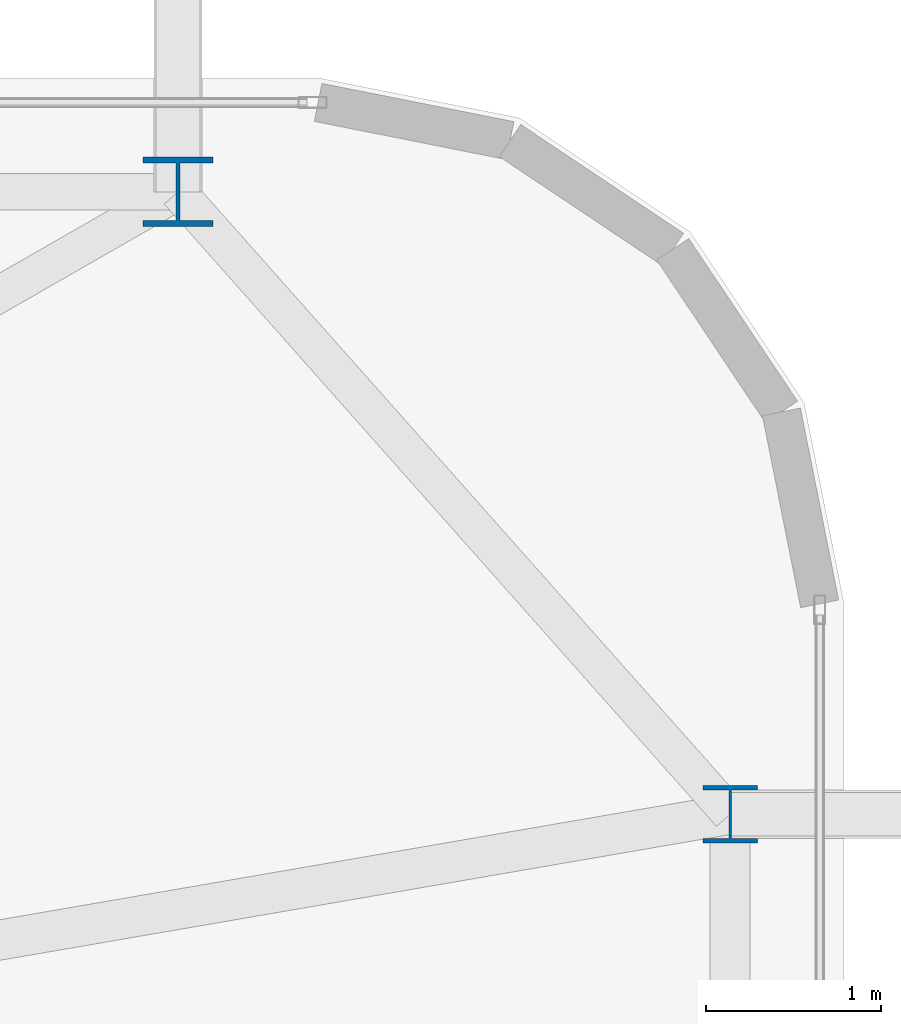
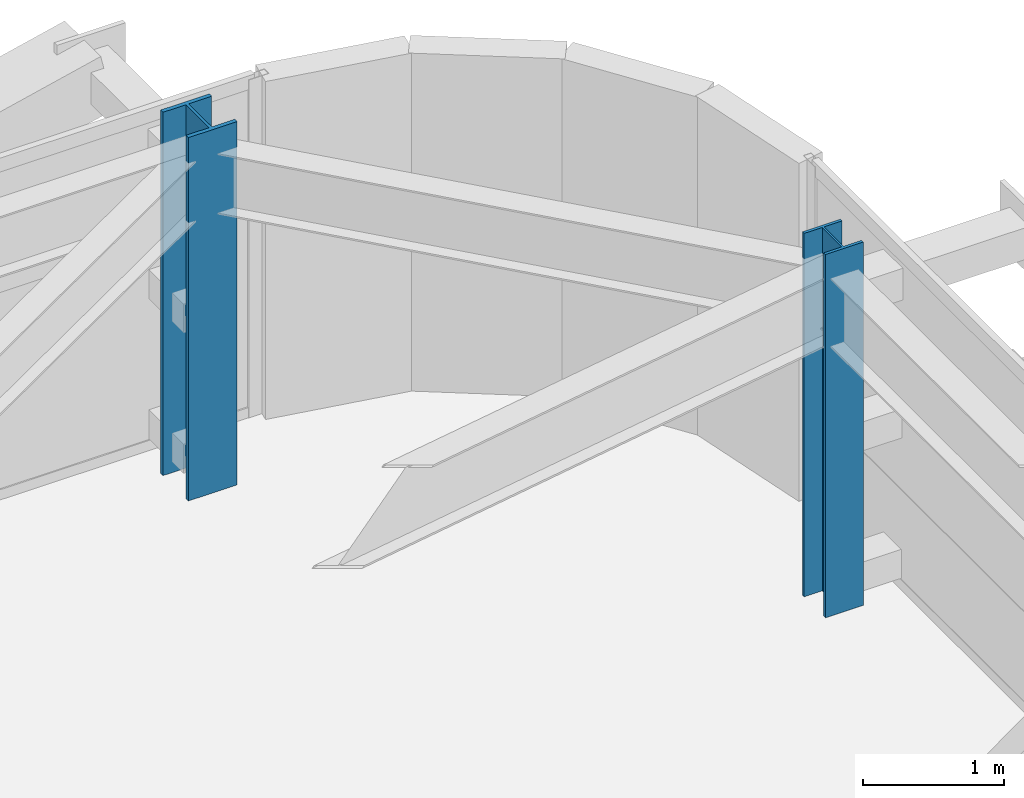
# One storey, part 4 of 58: 2 columns.
"""IFC4 building model written with IfcOpenShell, lengths in metres."""

import ifcopenshell
import ifcopenshell.guid

model = None  # the IFC model being written
_history = None  # IfcOwnerHistory: only IFC2X3 demands one
_inside = {}  # id of a spatial element -> (the spatial element, [elements in it])
_under = {}  # id of a project, library or spatial element -> (it, [spatial elements below it])
_declared = {}  # id of a project -> (the project, [libraries it declares])
_typed = {}  # id of a type object -> (the type object, [elements of that type])
_made_of = {}  # id of a material, layer set ... -> (it, [elements and type objects made of it])


def new_model(schema):
    """Start an empty IFC model of exactly this schema.

    Asked for "IFC4X3", IfcOpenShell would pick the latest addendum, in which some entities
    have other attributes; the version numbers below select the first issue.
    IFC2X3 requires an IfcOwnerHistory on every rooted entity: one is made here for all.
    """
    global model, _history
    if schema == "IFC4X3":
        model = ifcopenshell.file(schema_version=(4, 3, 0, 0))
    else:
        model = ifcopenshell.file(schema=schema)
    _inside.clear()
    _under.clear()
    _declared.clear()
    _typed.clear()
    _made_of.clear()
    _history = None
    if model.schema == "IFC2X3":
        org = make("IfcOrganization", Name="unknown")
        user = make(
            "IfcPersonAndOrganization",
            ThePerson=make("IfcPerson", FamilyName="unknown"),
            TheOrganization=org,
        )
        app = make(
            "IfcApplication",
            ApplicationDeveloper=org,
            Version="unknown",
            ApplicationFullName="unknown",
            ApplicationIdentifier="unknown",
        )
        _history = make(
            "IfcOwnerHistory",
            OwningUser=user,
            OwningApplication=app,
            ChangeAction="ADDED",
            CreationDate=0,
        )
    return model


def make(cls, **values):
    """One entity of the class cls with the attributes given. An attribute that is None is left unset."""
    return model.create_entity(
        cls, **{name: value for name, value in values.items() if value is not None}
    )


def rooted(cls, **values):
    """An entity with a GlobalId (a new one), such as an element, a storey or a relation."""
    return make(cls, GlobalId=ifcopenshell.guid.new(), OwnerHistory=_history, **values)


def si_unit(unit_type, name, prefix=None):
    """IfcSIUnit, for example si_unit("LENGTHUNIT", "METRE", prefix="MILLI")."""
    return make("IfcSIUnit", UnitType=unit_type, Prefix=prefix, Name=name)


def assignment(units):
    """IfcUnitAssignment: the units of a project."""
    return None if units is None else make("IfcUnitAssignment", Units=units)


def point(xyz):
    """IfcCartesianPoint."""
    return None if xyz is None else make("IfcCartesianPoint", Coordinates=xyz)


def direction(xyz):
    """IfcDirection."""
    return None if xyz is None else make("IfcDirection", DirectionRatios=xyz)


def frame(location, z_axis=None, x_axis=None):
    """IfcAxis2Placement3D, a coordinate frame: its origin and axes. An axis left out is left unset."""
    return make(
        "IfcAxis2Placement3D",
        Location=point(location),
        Axis=direction(z_axis),
        RefDirection=direction(x_axis),
    )


def frame_2d(location, x_axis=None):
    """IfcAxis2Placement2D, a coordinate frame in the plane: its origin and x axis."""
    return make(
        "IfcAxis2Placement2D", Location=point(location), RefDirection=direction(x_axis)
    )


def origin():
    """The frame at (0, 0, 0) with its axes left unset."""
    return frame((0.0, 0.0, 0.0))


def origin_2d():
    """The frame at (0, 0) in the plane with its x axis left unset."""
    return frame_2d((0.0, 0.0))


def place(relative_to, where):
    """IfcLocalPlacement: puts the frame where relative to a parent placement (None: the world)."""
    return make(
        "IfcLocalPlacement", PlacementRelTo=relative_to, RelativePlacement=where
    )


def context(
    kind, dimensions, precision=None, world=None, true_north=None, identifier=None
):
    """IfcGeometricRepresentationContext, for example the 3D "Model" context."""
    return make(
        "IfcGeometricRepresentationContext",
        ContextIdentifier=identifier,
        ContextType=kind,
        CoordinateSpaceDimension=dimensions,
        Precision=precision,
        WorldCoordinateSystem=world,
        TrueNorth=true_north,
    )


def subcontext(parent, identifier, kind, view, scale=None):
    """IfcGeometricRepresentationSubContext, for example "Body" below "Model"."""
    return make(
        "IfcGeometricRepresentationSubContext",
        ContextIdentifier=identifier,
        ContextType=kind,
        ParentContext=parent,
        TargetScale=scale,
        TargetView=view,
    )


def project(units=None, contexts=None):
    """IfcProject with its units and contexts."""
    return rooted(
        "IfcProject",
        Name="project",
        RepresentationContexts=contexts,
        UnitsInContext=assignment(units),
    )


def spatial(cls, under=None, at=None, **own):
    """A site, building, storey or space (cls), placed at a placement, below another one or the project."""
    s = rooted(cls, ObjectPlacement=at, **own)
    if under is not None:
        _under.setdefault(under.id(), (under, []))[1].append(s)
    return s


def profile(cls, at=None, kind="AREA", **sizes):
    """A parametric profile (cls). Its sizes go by their IFC names, for example OverallWidth=200.0."""
    return make(cls, ProfileType=kind, Position=at, **sizes)


def i_section(**sizes):
    """IfcIShapeProfileDef."""
    return profile("IfcIShapeProfileDef", **sizes)


def extrude(swept, where, along, depth):
    """IfcExtrudedAreaSolid: the profile swept, set in the frame where, extruded along a direction by depth."""
    return make(
        "IfcExtrudedAreaSolid",
        SweptArea=swept,
        Position=where,
        ExtrudedDirection=direction(along),
        Depth=depth,
    )


def shape(context_of_items, identifier, shape_type, items):
    """IfcShapeRepresentation: the items that make up one representation, for example the "Body"."""
    return make(
        "IfcShapeRepresentation",
        ContextOfItems=context_of_items,
        RepresentationIdentifier=identifier,
        RepresentationType=shape_type,
        Items=items,
    )


def source(mapping_origin, context_of_items, identifier, shape_type, items):
    """IfcRepresentationMap: a shape defined once, which mapped items show again and again."""
    return make(
        "IfcRepresentationMap",
        MappingOrigin=mapping_origin,
        MappedRepresentation=shape(context_of_items, identifier, shape_type, items),
    )


def transform(
    local_origin,
    x_axis=None,
    y_axis=None,
    z_axis=None,
    scale=None,
    scale2=None,
    scale3=None,
    uniform=True,
):
    """IfcCartesianTransformationOperator3D, or its non-uniform kind. x_axis, y_axis, z_axis: its Axis1, 2, 3."""
    if uniform:
        return make(
            "IfcCartesianTransformationOperator3D",
            Axis1=direction(x_axis),
            Axis2=direction(y_axis),
            LocalOrigin=point(local_origin),
            Scale=scale,
            Axis3=direction(z_axis),
        )
    return make(
        "IfcCartesianTransformationOperator3DnonUniform",
        Axis1=direction(x_axis),
        Axis2=direction(y_axis),
        LocalOrigin=point(local_origin),
        Scale=scale,
        Axis3=direction(z_axis),
        Scale2=scale2,
        Scale3=scale3,
    )


def mapped(mapping_source, mapping_target):
    """IfcMappedItem: shows the shape of a source again, moved by a transform."""
    return make(
        "IfcMappedItem", MappingSource=mapping_source, MappingTarget=mapping_target
    )


def material(Name=None, Category=None):
    """IfcMaterial."""
    return make("IfcMaterial", Name=Name, Category=Category)


def material_profile(
    of_material, cross_section, Name=None, Category=None, Priority=None
):
    """IfcMaterialProfile: a cross section and its material."""
    return make(
        "IfcMaterialProfile",
        Name=Name,
        Material=of_material,
        Profile=cross_section,
        Priority=Priority,
        Category=Category,
    )


def profile_set(profiles, Name=None, composite=None):
    """IfcMaterialProfileSet."""
    return make(
        "IfcMaterialProfileSet",
        Name=Name,
        MaterialProfiles=profiles,
        CompositeProfile=composite,
    )


def made_of(thing, what):
    """Note that an element or type object is made of a material, layer set ...; save() writes the relation."""
    if what is not None:
        _made_of.setdefault(what.id(), (what, []))[1].append(thing)
    return thing


def type_object(cls, material=None, **own):
    """A type object (cls), such as IfcWallType, which elements share."""
    return made_of(rooted(cls, **own), material)


def element(
    cls,
    number,
    at=None,
    inside=None,
    cuts=None,
    type_object=None,
    material=None,
    context=None,
    identifier="Body",
    shape_type=None,
    held_by="IfcProductDefinitionShape",
    body=None,
    shapes=None,
    **own,
):
    """One element of the class cls, such as IfcWall. Its Tag is "e" and its number.

    at: its placement. inside: the storey or other place that contains it. cuts: it is an
    opening in that element (IfcRelVoidsElement). A single representation is given by context,
    identifier, shape_type and body (its items); several are given by shapes. held_by: the class
    of the entity that holds the representations. save() writes the other relations.
    """
    e = rooted(cls, Tag="e%d" % number, ObjectPlacement=at, **own)
    if body is not None:
        shapes = [shape(context, identifier, shape_type, body)]
    if shapes is not None:
        e.Representation = make(held_by, Representations=shapes)
    if inside is not None:
        _inside.setdefault(inside.id(), (inside, []))[1].append(e)
    if cuts is not None:
        rooted(
            "IfcRelVoidsElement", RelatingBuildingElement=cuts, RelatedOpeningElement=e
        )
    if type_object is not None:
        _typed.setdefault(type_object.id(), (type_object, []))[1].append(e)
    return made_of(e, material)


def aggregate(whole, parts):
    """IfcRelAggregates: a whole, such as a stair, and the parts it consists of."""
    return rooted("IfcRelAggregates", RelatingObject=whole, RelatedObjects=parts)


def save(model, path):
    """Write the relations noted so far, then the file.

    IfcRelAggregates (storeys below a building ...), IfcRelContainedInSpatialStructure (elements
    in a storey), IfcRelDefinesByType, IfcRelAssociatesMaterial and IfcRelDeclares: one each for
    every whole, place, type object, material and project.
    """
    for whole, parts in _under.values():
        aggregate(whole, parts)
    for where, things in _inside.values():
        rooted(
            "IfcRelContainedInSpatialStructure",
            RelatedElements=things,
            RelatingStructure=where,
        )
    for kind, things in _typed.values():
        rooted("IfcRelDefinesByType", RelatedObjects=things, RelatingType=kind)
    for what, things in _made_of.values():
        rooted("IfcRelAssociatesMaterial", RelatedObjects=things, RelatingMaterial=what)
    for by, libraries in _declared.values():
        rooted("IfcRelDeclares", RelatingContext=by, RelatedDefinitions=libraries)
    model.write(path)


model = new_model("IFC4")

# Units and contexts
model_context = context("Model", 3, precision=1e-05, world=origin(), true_north=direction((0.0, 1.0)))
body_context = subcontext(model_context, "Body", "Model", "MODEL_VIEW")
ifc_project = project(units=[si_unit("LENGTHUNIT", "METRE"), si_unit("AREAUNIT", "SQUARE_METRE"), si_unit("VOLUMEUNIT", "CUBIC_METRE"), si_unit("PLANEANGLEUNIT", "RADIAN"), si_unit("MASSUNIT", "GRAM", prefix="KILO")], contexts=[model_context])

# Site, building, storey
site_placement = place(None, origin())
site = spatial("IfcSite", under=ifc_project, at=site_placement, CompositionType="ELEMENT")
building_placement = place(site_placement, origin())
building = spatial("IfcBuilding", under=site, at=building_placement, Name="Taldren Reach Tower", CompositionType="ELEMENT")
storey_placement = place(building_placement, frame((0.0, 0.0, 35.699951171875)))
storey = spatial("IfcBuildingStorey", under=building, at=storey_placement, Name="L10", CompositionType="ELEMENT", Elevation=35.699951171875)

# Columns
ifc_material = material(Name="Steel Gr 350 (350PLUS)", Category="steel")
ifc_material_profile_1 = material_profile(ifc_material, i_section(OverallWidth=0.39990234375, OverallDepth=0.39599609375, WebThickness=0.02197265625, FlangeThickness=0.033935546875, at=origin_2d()), Name="400WC270")
ifc_profile_set_1 = profile_set([ifc_material_profile_1], Name="Steel Gr 350 (350PLUS)")
column_type_1 = type_object("IfcColumnType", Name="COL-WC400", PredefinedType="COLUMN", material=ifc_profile_set_1)
shared_shape_1 = source(origin(), body_context, "Body", "SweptSolid", [
    extrude(i_section(OverallWidth=0.39990234375, OverallDepth=0.39599609375, WebThickness=0.02197265625, FlangeThickness=0.033935546875, at=origin_2d()), origin(), (0.0, 0.0, 1.0), 3.150146484375),
])
column_1_placement = place(storey_placement, frame((61.199951171875, 37.85009765625, 0.0), z_axis=(0.0, 0.0, 1.0), x_axis=(1.0, 0.0, 0.0)))
element("IfcColumn", 1, at=column_1_placement, inside=storey, type_object=column_type_1, Name="Block B1 perimeter column N6 L10", PredefinedType="COLUMN", context=body_context, shape_type="MappedRepresentation", body=[
    mapped(shared_shape_1, transform((0.0, 0.0, 0.0), scale=1.0)),
])
ifc_material_profile_2 = material_profile(ifc_material, i_section(OverallWidth=0.31103515625, OverallDepth=0.326904296875, WebThickness=0.015625, FlangeThickness=0.02490234375, at=origin_2d()), Name="310UC158")
ifc_profile_set_2 = profile_set([ifc_material_profile_2], Name="Steel Gr 350 (350PLUS)")
column_type_2 = type_object("IfcColumnType", Name="COL-UC310A", PredefinedType="COLUMN", material=ifc_profile_set_2)
shared_shape_2 = source(origin(), body_context, "Body", "SweptSolid", [
    extrude(i_section(OverallWidth=0.31103515625, OverallDepth=0.326904296875, WebThickness=0.015625, FlangeThickness=0.02490234375, at=origin_2d()), origin(), (0.0, 0.0, 1.0), 3.150146484375),
])
column_2_placement = place(storey_placement, frame((64.35009765625, 34.300048828125, 0.0), z_axis=(0.0, 0.0, 1.0), x_axis=(1.0, 0.0, 0.0)))
element("IfcColumn", 2, at=column_2_placement, inside=storey, type_object=column_type_2, Name="Block B1 perimeter column E3 L10", PredefinedType="COLUMN", context=body_context, shape_type="MappedRepresentation", body=[
    mapped(shared_shape_2, transform((0.0, 0.0, 0.0), scale=1.0)),
])

save(model, "model.ifc")
